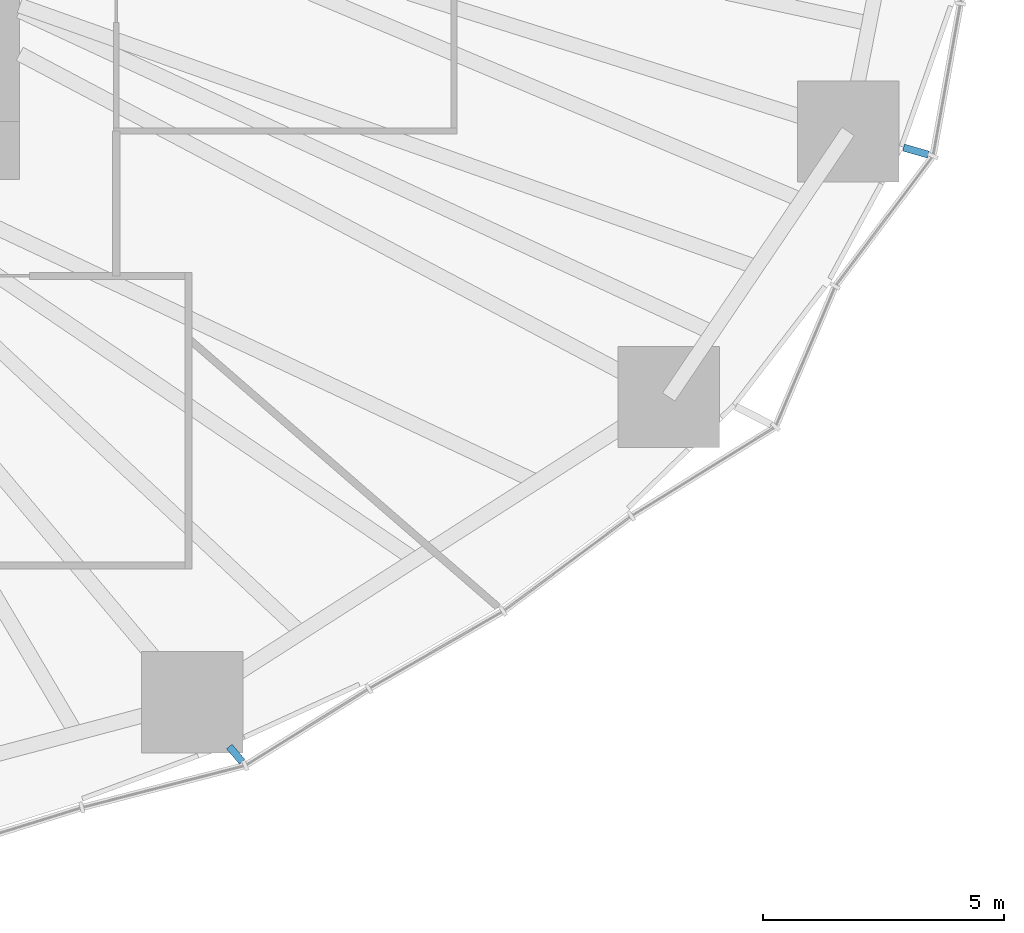
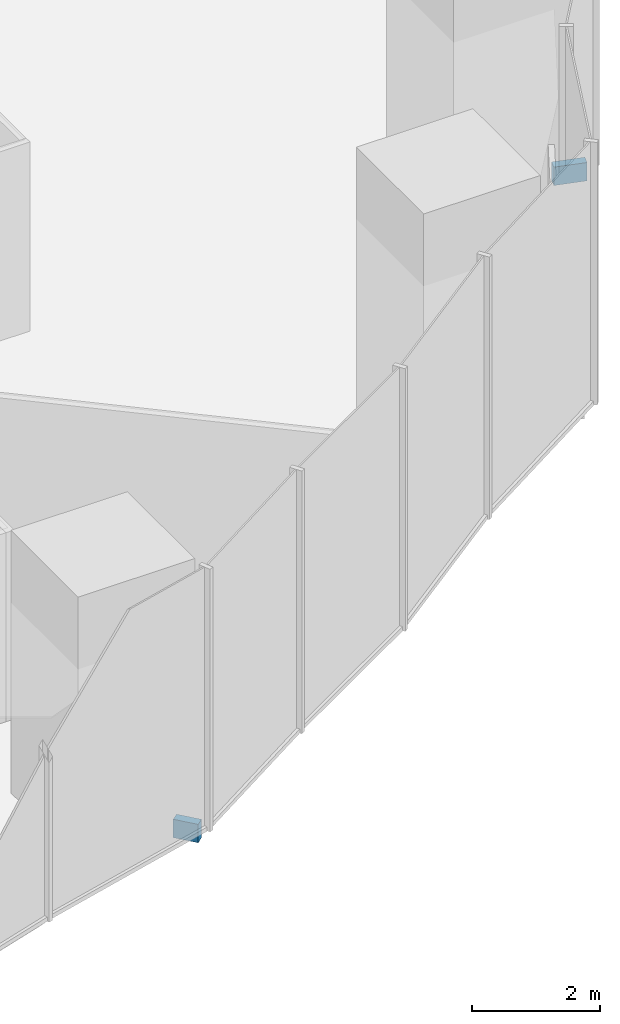
# One storey, part 14 of 20: 2 discrete accessories.
"""IFC4 building model written with IfcOpenShell, lengths in metres."""

from ifc_helpers import new_model, si_unit, direction, frame, origin, origin_2d, place, context, subcontext, project, spatial, rectangle, extrude, material, type_object, element, save


model = new_model("IFC4")

# Units and contexts
model_context = context("Model", 3, precision=1e-05, world=origin(), true_north=direction((0.0, 1.0)))
body_context = subcontext(model_context, "Body", "Model", "MODEL_VIEW")
ifc_project = project(units=[si_unit("LENGTHUNIT", "METRE"), si_unit("AREAUNIT", "SQUARE_METRE"), si_unit("VOLUMEUNIT", "CUBIC_METRE"), si_unit("PLANEANGLEUNIT", "RADIAN"), si_unit("MASSUNIT", "GRAM", prefix="KILO")], contexts=[model_context])

# Site, building, storey
site_placement = place(None, origin())
site = spatial("IfcSite", under=ifc_project, at=site_placement, CompositionType="ELEMENT")
building_placement = place(site_placement, origin())
building = spatial("IfcBuilding", under=site, at=building_placement, Name="Ghaith Harvest Tower", CompositionType="ELEMENT")
storey_placement = place(building_placement, frame((0.0, 0.0, 40.0)))
storey = spatial("IfcBuildingStorey", under=building, at=storey_placement, Name="L08", CompositionType="ELEMENT", Elevation=40.0)

# Discrete accessories
ifc_material_1 = material(Name="Stainless steel grade 1.4401", Category="steel")
discrete_accessory_type_1 = type_object("IfcDiscreteAccessoryType", Name="CURTAIN WALL BRACKET 415", PredefinedType="BRACKET", material=ifc_material_1)
discrete_accessory_1_placement = place(storey_placement, frame((18.475830078125, -21.90966796875, -0.25), z_axis=(0.0, 0.0, 1.0), x_axis=(0.644657240069, -0.764471741025, 0.0)))
element("IfcDiscreteAccessory", 1, at=discrete_accessory_1_placement, inside=storey, type_object=discrete_accessory_type_1, Name="CW-F bracket 1 bay 18 L08", PredefinedType="BRACKET", context=body_context, shape_type="SweptSolid", body=[
    extrude(rectangle(XDim=0.4150390625, YDim=0.14990234375, at=origin_2d()), origin(), (0.0, 0.0, 1.0), 0.35009765625),
])
ifc_material_2 = material(Name="Stainless steel grade 1.4401", Category="steel")
discrete_accessory_type_2 = type_object("IfcDiscreteAccessoryType", Name="CURTAIN WALL BRACKET 535", PredefinedType="BRACKET", material=ifc_material_2)
discrete_accessory_2_placement = place(storey_placement, frame((32.570556640625, -9.41357421875, -0.25), z_axis=(0.0, 0.0, 1.0), x_axis=(0.960680349932, -0.277656739976, 0.0)))
element("IfcDiscreteAccessory", 2, at=discrete_accessory_2_placement, inside=storey, type_object=discrete_accessory_type_2, Name="CW-F bracket 1 bay 20 L08", PredefinedType="BRACKET", context=body_context, shape_type="SweptSolid", body=[
    extrude(rectangle(XDim=0.534912109375, YDim=0.14990234375, at=origin_2d()), origin(), (0.0, 0.0, 1.0), 0.35009765625),
])

save(model, "model.ifc")
